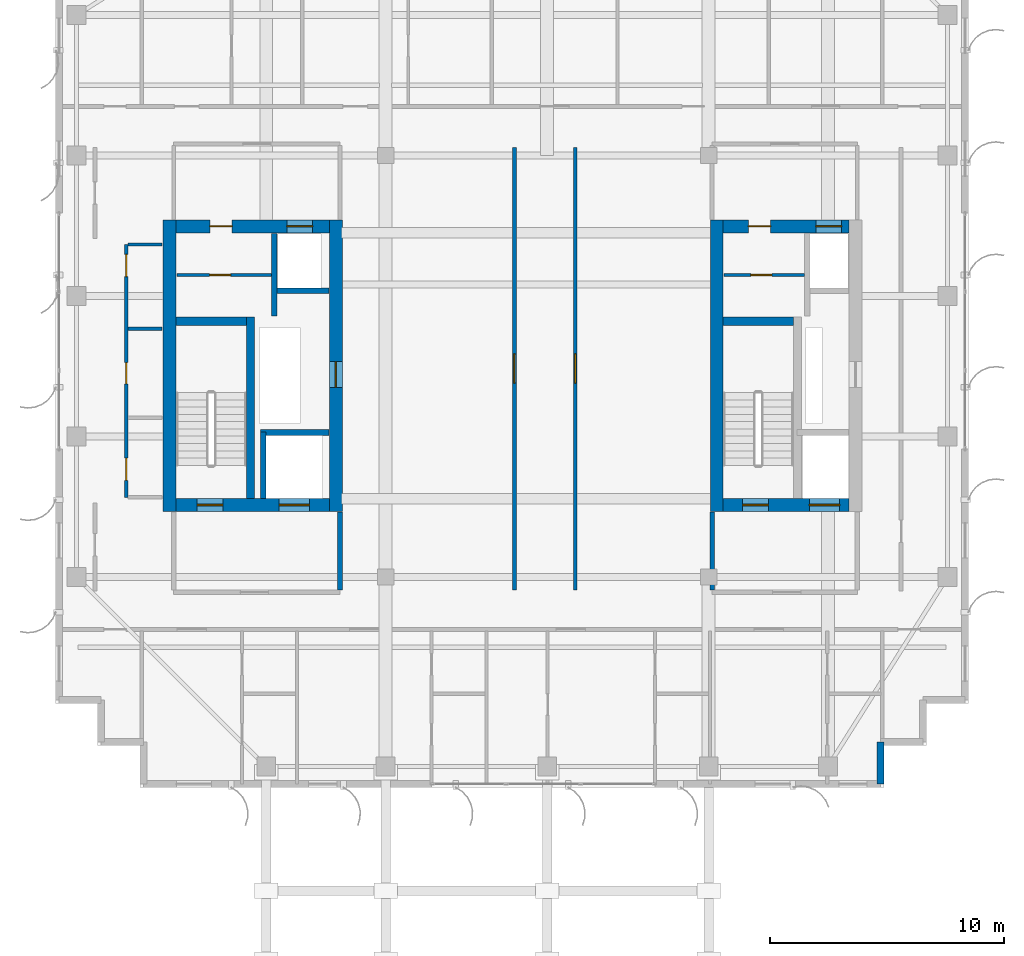
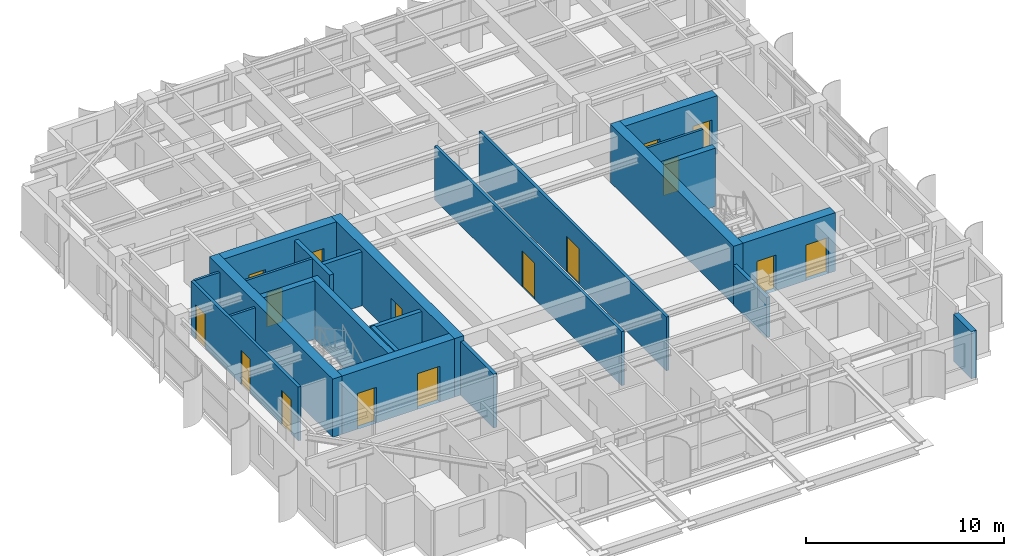
# One storey, part 15 of 19: 24 walls, 16 doors, 16 openings.
"""IFC4 building model written with IfcOpenShell, lengths in metres."""

from ifc_helpers import new_model, si_unit, direction, frame, frame_2d, origin, place, context, subcontext, project, spatial, rectangle, extrude, source, transform, mapped, material, layer, layer_set, type_object, element, fill, save


model = new_model("IFC4")

# Units and contexts
model_context = context("Model", 3, precision=1e-05, world=origin(), true_north=direction((0.0, 1.0)))
body_context = subcontext(model_context, "Body", "Model", "MODEL_VIEW")
ifc_project = project(units=[si_unit("LENGTHUNIT", "METRE"), si_unit("AREAUNIT", "SQUARE_METRE"), si_unit("VOLUMEUNIT", "CUBIC_METRE"), si_unit("PLANEANGLEUNIT", "RADIAN"), si_unit("MASSUNIT", "GRAM", prefix="KILO")], contexts=[model_context])

# Site, building, storey
site_placement = place(None, origin())
site = spatial("IfcSite", under=ifc_project, at=site_placement, CompositionType="ELEMENT")
building_placement = place(site_placement, origin())
building = spatial("IfcBuilding", under=site, at=building_placement, Name="Khoralis Quay Care Tower", CompositionType="ELEMENT")
storey_placement = place(building_placement, frame((0.0, 0.0, 281.699951171875)))
storey = spatial("IfcBuildingStorey", under=building, at=storey_placement, Name="L74", CompositionType="ELEMENT", Elevation=281.699951171875)

# Walls
ifc_material_1 = material(Name="Gypsum plasterboard on acoustic metal stud")
ifc_layer_1 = layer(ifc_material_1, 0.199951171875)
ifc_layer_set_1 = layer_set([ifc_layer_1], Name="Gypsum plasterboard on acoustic metal stud")
wall_type_1 = type_object("IfcWallType", Name="WL-COMP-200", PredefinedType="PARTITIONING", material=ifc_layer_set_1)
wall_1_placement = place(storey_placement, frame((15.14990234375, 11.445068359375, 0.0), z_axis=(0.0, 0.0, 1.0), x_axis=(0.0, 1.0, 0.0)))
element("IfcWall", 1, at=wall_1_placement, inside=storey, type_object=wall_type_1, Name="L74 West Firefighting Lobby East Wall", PredefinedType="PARTITIONING", context=body_context, shape_type="SweptSolid", body=[
    extrude(rectangle(XDim=3.3349609375, YDim=0.199951171875, at=frame_2d((1.66748046875, 0.0))), origin(), (0.0, 0.0, 1.0), 3.320068359375),
])
wall_2_placement = place(storey_placement, frame((31.050048828125, 11.445068359375, 0.0), z_axis=(0.0, 0.0, 1.0), x_axis=(0.0, 1.0, 0.0)))
element("IfcWall", 2, at=wall_2_placement, inside=storey, type_object=wall_type_1, Name="L74 East Firefighting Lobby West Wall", PredefinedType="PARTITIONING", context=body_context, shape_type="SweptSolid", body=[
    extrude(rectangle(XDim=3.3349609375, YDim=0.199951171875, at=frame_2d((1.66748046875, 0.0))), origin(), (0.0, 0.0, 1.0), 2.469970703125),
])
ifc_material_2 = material(Name="Concrete C65/80", Category="concrete")
ifc_layer_2 = layer(ifc_material_2, 0.550048828125)
ifc_layer_set_2 = layer_set([ifc_layer_2], Name="Concrete C65/80")
wall_type_2 = type_object("IfcWallType", Name="WL-CORE-550", PredefinedType="SHEAR", material=ifc_layer_set_2)
wall_3_placement = place(storey_placement, frame((7.875, 14.800048828125, 0.0), z_axis=(0.0, 0.0, 1.0), x_axis=(0.0, 1.0, 0.0)))
element("IfcWall", 3, at=wall_3_placement, inside=storey, type_object=wall_type_2, Name="L74 WCORE West Shear Wall", PredefinedType="SHEAR", context=body_context, shape_type="SweptSolid", body=[
    extrude(rectangle(XDim=12.449951171875, YDim=0.550048828125, at=frame_2d((6.22509765625, 0.0))), origin(), (0.0, 0.0, 1.0), 3.60009765625),
])

# Wall, opening, door
wall_4_placement = place(storey_placement, frame((14.97509765625, 14.800048828125, 0.0), z_axis=(0.0, 0.0, 1.0), x_axis=(0.0, 1.0, 0.0)))
wall_4 = element("IfcWall", 4, at=wall_4_placement, inside=storey, type_object=wall_type_2, Name="L74 WCORE East Shear Wall", PredefinedType="SHEAR", context=body_context, shape_type="SweptSolid", body=[
    extrude(rectangle(XDim=12.449951171875, YDim=0.550048828125, at=frame_2d((6.22509765625, 0.0))), origin(), (0.0, 0.0, 1.0), 3.60009765625),
])
opening_1_placement = place(wall_4_placement, frame((5.300048828125, 0.0, 0.0)))
opening_1 = element("IfcOpeningElement", 5, at=opening_1_placement, cuts=wall_4, Name="Opening SD1", PredefinedType="OPENING", context=body_context, shape_type="SweptSolid", body=[
    extrude(rectangle(XDim=1.10009765625, YDim=2.199951171875, at=frame_2d((0.550048828125, 1.10009765625))), frame((0.0, 0.28515625, 0.0), z_axis=(0.0, -1.0, 0.0), x_axis=(1.0, 0.0, 0.0)), (0.0, 0.0, 1.0), 0.570068359375),
])
ifc_material_3 = material(Name="Fire-rated painted steel", Category="steel")
door_type_1 = type_object("IfcDoorType", Name="DR-STAIR-1100X2200", OperationType="NOTDEFINED", PredefinedType="DOOR", material=ifc_material_3)
shared_shape_1 = source(origin(), body_context, "Body", "SweptSolid", [
    extrude(rectangle(XDim=1.10009765625, YDim=2.199951171875, at=frame_2d((0.550048828125, 1.10009765625))), frame((0.0, 0.02490234375, 0.0), z_axis=(0.0, -1.0, 0.0), x_axis=(1.0, 0.0, 0.0)), (0.0, 0.0, 1.0), 0.050048828125),
])
door_1_placement = place(opening_1_placement, origin())
door_1 = element("IfcDoor", 6, at=door_1_placement, inside=storey, type_object=door_type_1, Name="L74 West MEP Riser Door", OperationType="SINGLE_SWING_RIGHT", OverallHeight=2.199951171875, OverallWidth=1.10009765625, PredefinedType="DOOR", context=body_context, shape_type="MappedRepresentation", body=[
    mapped(shared_shape_1, transform((0.0, 0.0, 0.0), scale=1.0)),
])
fill(opening_1, door_1)

# Wall, openings, doors
wall_5_placement = place(storey_placement, frame((8.14990234375, 15.074951171875, 0.0), z_axis=(0.0, 0.0, 1.0), x_axis=(1.0, 0.0, 0.0)))
wall_5 = element("IfcWall", 7, at=wall_5_placement, inside=storey, type_object=wall_type_2, Name="L74 WCORE South Shear Wall", PredefinedType="SHEAR", context=body_context, shape_type="SweptSolid", body=[
    extrude(rectangle(XDim=6.550048828125, YDim=0.550048828125, at=frame_2d((3.27490234375, 0.0))), origin(), (0.0, 0.0, 1.0), 3.60009765625),
])
opening_2_placement = place(wall_5_placement, frame((0.89990234375, 0.0, 0.0)))
opening_2 = element("IfcOpeningElement", 8, at=opening_2_placement, cuts=wall_5, Name="Opening SD1", PredefinedType="OPENING", context=body_context, shape_type="SweptSolid", body=[
    extrude(rectangle(XDim=1.10009765625, YDim=2.199951171875, at=frame_2d((0.550048828125, 1.10009765625))), frame((0.0, 0.28515625, 0.0), z_axis=(0.0, -1.0, 0.0), x_axis=(1.0, 0.0, 0.0)), (0.0, 0.0, 1.0), 0.570068359375),
])
opening_3_placement = place(wall_5_placement, frame((4.39990234375, 0.0, 0.0)))
opening_3 = element("IfcOpeningElement", 9, at=opening_3_placement, cuts=wall_5, Name="Opening LD2", PredefinedType="OPENING", context=body_context, shape_type="SweptSolid", body=[
    extrude(rectangle(XDim=1.300048828125, YDim=2.199951171875, at=frame_2d((0.64990234375, 1.10009765625))), frame((0.0, 0.28515625, 0.0), z_axis=(0.0, -1.0, 0.0), x_axis=(1.0, 0.0, 0.0)), (0.0, 0.0, 1.0), 0.570068359375),
])
door_2_placement = place(opening_2_placement, origin())
door_2 = element("IfcDoor", 10, at=door_2_placement, inside=storey, type_object=door_type_1, Name="L74 Stair ST-T1 Fire Door", OperationType="SINGLE_SWING_RIGHT", OverallHeight=2.199951171875, OverallWidth=1.10009765625, PredefinedType="DOOR", context=body_context, shape_type="MappedRepresentation", body=[
    mapped(shared_shape_1, transform((0.0, 0.0, 0.0), scale=1.0)),
])
fill(opening_2, door_2)
ifc_material_4 = material(Name="Brushed stainless steel", Category="steel")
door_type_2 = type_object("IfcDoorType", Name="DR-LIFT-1300X2200", OperationType="SLIDING_TO_RIGHT", PredefinedType="DOOR", material=ifc_material_4)
shared_shape_2 = source(origin(), body_context, "Body", "SweptSolid", [
    extrude(rectangle(XDim=1.300048828125, YDim=2.199951171875, at=frame_2d((0.64990234375, 1.10009765625))), frame((0.0, 0.02490234375, 0.0), z_axis=(0.0, -1.0, 0.0), x_axis=(1.0, 0.0, 0.0)), (0.0, 0.0, 1.0), 0.050048828125),
])
door_3_placement = place(opening_3_placement, origin())
door_3 = element("IfcDoor", 11, at=door_3_placement, inside=storey, type_object=door_type_2, Name="L74 Firefighting Lift FFL-1 Landing Door", OperationType="SLIDING_TO_RIGHT", OverallHeight=2.199951171875, OverallWidth=1.300048828125, PredefinedType="DOOR", context=body_context, shape_type="MappedRepresentation", body=[
    mapped(shared_shape_2, transform((0.0, 0.0, 0.0), scale=1.0)),
])
fill(opening_3, door_3)

wall_6_placement = place(storey_placement, frame((8.14990234375, 26.97509765625, 0.0), z_axis=(0.0, 0.0, 1.0), x_axis=(1.0, 0.0, 0.0)))
wall_6 = element("IfcWall", 12, at=wall_6_placement, inside=storey, type_object=wall_type_2, Name="L74 WCORE North Shear Wall", PredefinedType="SHEAR", context=body_context, shape_type="SweptSolid", body=[
    extrude(rectangle(XDim=6.550048828125, YDim=0.550048828125, at=frame_2d((3.27490234375, 0.0))), origin(), (0.0, 0.0, 1.0), 3.60009765625),
])
opening_4_placement = place(wall_6_placement, frame((1.449951171875, 0.0, 0.0)))
opening_4 = element("IfcOpeningElement", 13, at=opening_4_placement, cuts=wall_6, Name="Opening ID1", PredefinedType="OPENING", context=body_context, shape_type="SweptSolid", body=[
    extrude(rectangle(XDim=0.949951171875, YDim=2.10009765625, at=frame_2d((0.47509765625, 1.050048828125))), frame((0.0, 0.28515625, 0.0), z_axis=(0.0, -1.0, 0.0), x_axis=(1.0, 0.0, 0.0)), (0.0, 0.0, 1.0), 0.570068359375),
])
opening_5_placement = place(wall_6_placement, frame((4.72998046875, 0.0, 0.0)))
opening_5 = element("IfcOpeningElement", 14, at=opening_5_placement, cuts=wall_6, Name="Opening LD1", PredefinedType="OPENING", context=body_context, shape_type="SweptSolid", body=[
    extrude(rectangle(XDim=1.10009765625, YDim=2.199951171875, at=frame_2d((0.550048828125, 1.10009765625))), frame((0.0, 0.28515625, 0.0), z_axis=(0.0, -1.0, 0.0), x_axis=(1.0, 0.0, 0.0)), (0.0, 0.0, 1.0), 0.570068359375),
])
door_type_3 = type_object("IfcDoorType", Name="DR-LIFT-1100X2200", OperationType="SLIDING_TO_LEFT", PredefinedType="DOOR", material=ifc_material_4)
shared_shape_3 = source(origin(), body_context, "Body", "SweptSolid", [
    extrude(rectangle(XDim=1.10009765625, YDim=2.199951171875, at=frame_2d((0.550048828125, 1.10009765625))), frame((0.0, 0.02490234375, 0.0), z_axis=(0.0, -1.0, 0.0), x_axis=(1.0, 0.0, 0.0)), (0.0, 0.0, 1.0), 0.050048828125),
])
door_4_placement = place(opening_5_placement, origin())
door_4 = element("IfcDoor", 15, at=door_4_placement, inside=storey, type_object=door_type_3, Name="L74 Lift PLH1 Landing Door", OperationType="SLIDING_TO_LEFT", OverallHeight=2.199951171875, OverallWidth=1.10009765625, PredefinedType="DOOR", context=body_context, shape_type="MappedRepresentation", body=[
    mapped(shared_shape_3, transform((0.0, 0.0, 0.0), scale=1.0)),
])
fill(opening_5, door_4)
ifc_material_5 = material(Name="Acoustic hardwood timber", Category="wood")
door_type_4 = type_object("IfcDoorType", Name="DR-ROOM-950X2100", OperationType="NOTDEFINED", PredefinedType="DOOR", material=ifc_material_5)
shared_shape_4 = source(origin(), body_context, "Body", "SweptSolid", [
    extrude(rectangle(XDim=0.949951171875, YDim=2.10009765625, at=frame_2d((0.47509765625, 1.050048828125))), frame((0.0, 0.02490234375, 0.0), z_axis=(0.0, -1.0, 0.0), x_axis=(1.0, 0.0, 0.0)), (0.0, 0.0, 1.0), 0.050048828125),
])
door_5_placement = place(opening_4_placement, frame((0.949951171875, 0.0, 0.0), z_axis=(0.0, 0.0, 1.0), x_axis=(-1.0, 0.0, 0.0)))
door_5 = element("IfcDoor", 16, at=door_5_placement, inside=storey, type_object=door_type_4, Name="L74 Telemetry Study Door", OperationType="SINGLE_SWING_RIGHT", OverallHeight=2.10009765625, OverallWidth=0.949951171875, PredefinedType="DOOR", context=body_context, shape_type="MappedRepresentation", body=[
    mapped(shared_shape_4, transform((0.0, 0.0, 0.0), scale=1.0)),
])
fill(opening_4, door_5)

# Wall
wall_7_placement = place(storey_placement, frame((31.2451171875, 14.800048828125, 0.0), z_axis=(0.0, 0.0, 1.0), x_axis=(0.0, 1.0, 0.0)))
element("IfcWall", 17, at=wall_7_placement, inside=storey, type_object=wall_type_2, Name="L74 ECORE West Shear Wall", PredefinedType="SHEAR", context=body_context, shape_type="SweptSolid", body=[
    extrude(rectangle(XDim=12.449951171875, YDim=0.550048828125, at=frame_2d((6.22509765625, 0.0))), origin(), (0.0, 0.0, 1.0), 3.60009765625),
])

# Wall, openings, doors
wall_8_placement = place(storey_placement, frame((31.52001953125, 15.074951171875, 0.0), z_axis=(0.0, 0.0, 1.0), x_axis=(1.0, 0.0, 0.0)))
wall_8 = element("IfcWall", 18, at=wall_8_placement, inside=storey, type_object=wall_type_2, Name="L74 ECORE South Shear Wall", PredefinedType="SHEAR", context=body_context, shape_type="SweptSolid", body=[
    extrude(rectangle(XDim=5.3798828125, YDim=0.550048828125, at=frame_2d((2.68994140625, 0.0))), origin(), (0.0, 0.0, 1.0), 3.60009765625),
])
opening_6_placement = place(wall_8_placement, frame((0.830078125, 0.0, 0.0)))
opening_6 = element("IfcOpeningElement", 19, at=opening_6_placement, cuts=wall_8, Name="Opening SD1", PredefinedType="OPENING", context=body_context, shape_type="SweptSolid", body=[
    extrude(rectangle(XDim=1.10009765625, YDim=2.199951171875, at=frame_2d((0.550048828125, 1.10009765625))), frame((0.0, 0.28515625, 0.0), z_axis=(0.0, -1.0, 0.0), x_axis=(1.0, 0.0, 0.0)), (0.0, 0.0, 1.0), 0.570068359375),
])
opening_7_placement = place(wall_8_placement, frame((3.679931640625, 0.0, 0.0)))
opening_7 = element("IfcOpeningElement", 20, at=opening_7_placement, cuts=wall_8, Name="Opening LD2", PredefinedType="OPENING", context=body_context, shape_type="SweptSolid", body=[
    extrude(rectangle(XDim=1.300048828125, YDim=2.199951171875, at=frame_2d((0.64990234375, 1.10009765625))), frame((0.0, 0.28515625, 0.0), z_axis=(0.0, -1.0, 0.0), x_axis=(1.0, 0.0, 0.0)), (0.0, 0.0, 1.0), 0.570068359375),
])
door_6_placement = place(opening_6_placement, origin())
door_6 = element("IfcDoor", 21, at=door_6_placement, inside=storey, type_object=door_type_1, Name="L74 Stair ST-T2 Fire Door", OperationType="SINGLE_SWING_LEFT", OverallHeight=2.199951171875, OverallWidth=1.10009765625, PredefinedType="DOOR", context=body_context, shape_type="MappedRepresentation", body=[
    mapped(shared_shape_1, transform((0.0, 0.0, 0.0), scale=1.0)),
])
fill(opening_6, door_6)
door_7_placement = place(opening_7_placement, origin())
door_7 = element("IfcDoor", 22, at=door_7_placement, inside=storey, type_object=door_type_2, Name="L74 Firefighting Lift FFL-2 Landing Door", OperationType="SLIDING_TO_RIGHT", OverallHeight=2.199951171875, OverallWidth=1.300048828125, PredefinedType="DOOR", context=body_context, shape_type="MappedRepresentation", body=[
    mapped(shared_shape_2, transform((0.0, 0.0, 0.0), scale=1.0)),
])
fill(opening_7, door_7)

wall_9_placement = place(storey_placement, frame((31.52001953125, 26.97509765625, 0.0), z_axis=(0.0, 0.0, 1.0), x_axis=(1.0, 0.0, 0.0)))
wall_9 = element("IfcWall", 23, at=wall_9_placement, inside=storey, type_object=wall_type_2, Name="L74 ECORE North Shear Wall", PredefinedType="SHEAR", context=body_context, shape_type="SweptSolid", body=[
    extrude(rectangle(XDim=5.3798828125, YDim=0.550048828125, at=frame_2d((2.68994140625, 0.0))), origin(), (0.0, 0.0, 1.0), 3.60009765625),
])
opening_8_placement = place(wall_9_placement, frame((1.080078125, 0.0, 0.0)))
opening_8 = element("IfcOpeningElement", 24, at=opening_8_placement, cuts=wall_9, Name="Opening ID1", PredefinedType="OPENING", context=body_context, shape_type="SweptSolid", body=[
    extrude(rectangle(XDim=0.949951171875, YDim=2.10009765625, at=frame_2d((0.47509765625, 1.050048828125))), frame((0.0, 0.28515625, 0.0), z_axis=(0.0, -1.0, 0.0), x_axis=(1.0, 0.0, 0.0)), (0.0, 0.0, 1.0), 0.570068359375),
])
opening_9_placement = place(wall_9_placement, frame((3.9599609375, 0.0, 0.0)))
opening_9 = element("IfcOpeningElement", 25, at=opening_9_placement, cuts=wall_9, Name="Opening LD1", PredefinedType="OPENING", context=body_context, shape_type="SweptSolid", body=[
    extrude(rectangle(XDim=1.10009765625, YDim=2.199951171875, at=frame_2d((0.550048828125, 1.10009765625))), frame((0.0, 0.28515625, 0.0), z_axis=(0.0, -1.0, 0.0), x_axis=(1.0, 0.0, 0.0)), (0.0, 0.0, 1.0), 0.570068359375),
])
door_8_placement = place(opening_9_placement, origin())
door_8 = element("IfcDoor", 26, at=door_8_placement, inside=storey, type_object=door_type_3, Name="L74 Lift PLH2 Landing Door", OperationType="SLIDING_TO_LEFT", OverallHeight=2.199951171875, OverallWidth=1.10009765625, PredefinedType="DOOR", context=body_context, shape_type="MappedRepresentation", body=[
    mapped(shared_shape_3, transform((0.0, 0.0, 0.0), scale=1.0)),
])
fill(opening_9, door_8)
door_9_placement = place(opening_8_placement, frame((0.949951171875, 0.0, 0.0), z_axis=(0.0, 0.0, 1.0), x_axis=(-1.0, 0.0, 0.0)))
door_9 = element("IfcDoor", 27, at=door_9_placement, inside=storey, type_object=door_type_4, Name="L74 Nutrition Pantry Door", OperationType="SINGLE_SWING_LEFT", OverallHeight=2.10009765625, OverallWidth=0.949951171875, PredefinedType="DOOR", context=body_context, shape_type="MappedRepresentation", body=[
    mapped(shared_shape_4, transform((0.0, 0.0, 0.0), scale=1.0)),
])
fill(opening_8, door_9)

ifc_layer_3 = layer(ifc_material_1, 0.1650390625)
ifc_layer_set_3 = layer_set([ifc_layer_3], Name="Gypsum plasterboard on acoustic metal stud")
wall_type_3 = type_object("IfcWallType", Name="WL-CORR-165", PredefinedType="PARTITIONING", material=ifc_layer_set_3)
wall_10_placement = place(storey_placement, frame((6.02001953125, 15.39990234375, 0.0), z_axis=(0.0, 0.0, 1.0), x_axis=(0.0, 1.0, 0.0)))
wall_10 = element("IfcWall", 28, at=wall_10_placement, inside=storey, type_object=wall_type_3, Name="L74 West Core Service Flank Wall", PredefinedType="PARTITIONING", context=body_context, shape_type="SweptSolid", body=[
    extrude(rectangle(XDim=10.800048828125, YDim=0.1650390625, at=frame_2d((5.39990234375, 0.0))), origin(), (0.0, 0.0, 1.0), 3.320068359375),
])
opening_10_placement = place(wall_10_placement, frame((0.72509765625, 0.0, 0.0)))
opening_10 = element("IfcOpeningElement", 29, at=opening_10_placement, cuts=wall_10, Name="Opening ID1", PredefinedType="OPENING", context=body_context, shape_type="SweptSolid", body=[
    extrude(rectangle(XDim=0.949951171875, YDim=2.10009765625, at=frame_2d((0.47509765625, 1.050048828125))), frame((0.0, 0.092529296875, 0.0), z_axis=(0.0, -1.0, 0.0), x_axis=(1.0, 0.0, 0.0)), (0.0, 0.0, 1.0), 0.18505859375),
])
opening_11_placement = place(wall_10_placement, frame((4.85009765625, 0.0, 0.0)))
opening_11 = element("IfcOpeningElement", 30, at=opening_11_placement, cuts=wall_10, Name="Opening WD1", PredefinedType="OPENING", context=body_context, shape_type="SweptSolid", body=[
    extrude(rectangle(XDim=0.89990234375, YDim=2.10009765625, at=frame_2d((0.449951171875, 1.050048828125))), frame((0.0, 0.092529296875, 0.0), z_axis=(0.0, -1.0, 0.0), x_axis=(1.0, 0.0, 0.0)), (0.0, 0.0, 1.0), 0.18505859375),
])
opening_12_placement = place(wall_10_placement, frame((9.425048828125, 0.0, 0.0)))
opening_12 = element("IfcOpeningElement", 31, at=opening_12_placement, cuts=wall_10, Name="Opening ID1", PredefinedType="OPENING", context=body_context, shape_type="SweptSolid", body=[
    extrude(rectangle(XDim=0.949951171875, YDim=2.10009765625, at=frame_2d((0.47509765625, 1.050048828125))), frame((0.0, 0.092529296875, 0.0), z_axis=(0.0, -1.0, 0.0), x_axis=(1.0, 0.0, 0.0)), (0.0, 0.0, 1.0), 0.18505859375),
])
door_type_5 = type_object("IfcDoorType", Name="DR-BATH-900X2100", OperationType="NOTDEFINED", PredefinedType="DOOR", material=ifc_material_5)
shared_shape_5 = source(origin(), body_context, "Body", "SweptSolid", [
    extrude(rectangle(XDim=0.89990234375, YDim=2.10009765625, at=frame_2d((0.449951171875, 1.050048828125))), frame((0.0, 0.02490234375, 0.0), z_axis=(0.0, -1.0, 0.0), x_axis=(1.0, 0.0, 0.0)), (0.0, 0.0, 1.0), 0.050048828125),
])
door_10_placement = place(opening_11_placement, frame((0.89990234375, 0.0, 0.0), z_axis=(0.0, 0.0, 1.0), x_axis=(-1.0, 0.0, 0.0)))
door_10 = element("IfcDoor", 32, at=door_10_placement, inside=storey, type_object=door_type_5, Name="L74 Public Accessible WC Door", OperationType="SINGLE_SWING_RIGHT", OverallHeight=2.10009765625, OverallWidth=0.89990234375, PredefinedType="DOOR", context=body_context, shape_type="MappedRepresentation", body=[
    mapped(shared_shape_5, transform((0.0, 0.0, 0.0), scale=1.0)),
])
fill(opening_11, door_10)
door_11_placement = place(opening_10_placement, frame((0.949951171875, 0.0, 0.0), z_axis=(0.0, 0.0, 1.0), x_axis=(-1.0, 0.0, 0.0)))
door_11 = element("IfcDoor", 33, at=door_11_placement, inside=storey, type_object=door_type_4, Name="L74 Clean Utility Store Door", OperationType="SINGLE_SWING_LEFT", OverallHeight=2.10009765625, OverallWidth=0.949951171875, PredefinedType="DOOR", context=body_context, shape_type="MappedRepresentation", body=[
    mapped(shared_shape_4, transform((0.0, 0.0, 0.0), scale=1.0)),
])
fill(opening_10, door_11)
door_12_placement = place(opening_12_placement, frame((0.949951171875, 0.0, 0.0), z_axis=(0.0, 0.0, 1.0), x_axis=(-1.0, 0.0, 0.0)))
door_12 = element("IfcDoor", 34, at=door_12_placement, inside=storey, type_object=door_type_4, Name="L74 Electrical Switchboard Room Door", OperationType="SINGLE_SWING_LEFT", OverallHeight=2.10009765625, OverallWidth=0.949951171875, PredefinedType="DOOR", context=body_context, shape_type="MappedRepresentation", body=[
    mapped(shared_shape_4, transform((0.0, 0.0, 0.0), scale=1.0)),
])
fill(opening_12, door_12)

# Wall, opening, door
wall_11_placement = place(storey_placement, frame((22.60009765625, 11.449951171875, 0.0), z_axis=(0.0, 0.0, 1.0), x_axis=(0.0, 1.0, 0.0)))
wall_11 = element("IfcWall", 35, at=wall_11_placement, inside=storey, type_object=wall_type_3, Name="L74 Central Gallery West Wall", PredefinedType="PARTITIONING", context=body_context, shape_type="SweptSolid", body=[
    extrude(rectangle(XDim=18.900146484375, YDim=0.1650390625, at=frame_2d((9.4501953125, 0.0))), origin(), (0.0, 0.0, 1.0), 3.320068359375),
])
opening_13_placement = place(wall_11_placement, frame((8.824951171875, 0.0, 0.0)))
opening_13 = element("IfcOpeningElement", 36, at=opening_13_placement, cuts=wall_11, Name="Opening CD1", PredefinedType="OPENING", context=body_context, shape_type="SweptSolid", body=[
    extrude(rectangle(XDim=1.25, YDim=2.199951171875, at=frame_2d((0.625, 1.10009765625))), frame((0.0, 0.092529296875, 0.0), z_axis=(0.0, -1.0, 0.0), x_axis=(1.0, 0.0, 0.0)), (0.0, 0.0, 1.0), 0.18505859375),
])
door_type_6 = type_object("IfcDoorType", Name="DR-CARE-1250X2200", OperationType="NOTDEFINED", PredefinedType="DOOR", material=ifc_material_5)
shared_shape_6 = source(origin(), body_context, "Body", "SweptSolid", [
    extrude(rectangle(XDim=1.25, YDim=2.199951171875, at=frame_2d((0.625, 1.10009765625))), frame((0.0, 0.02490234375, 0.0), z_axis=(0.0, -1.0, 0.0), x_axis=(1.0, 0.0, 0.0)), (0.0, 0.0, 1.0), 0.050048828125),
])
door_13_placement = place(opening_13_placement, frame((1.25, 0.0, 0.0), z_axis=(0.0, 0.0, 1.0), x_axis=(-1.0, 0.0, 0.0)))
door_13 = element("IfcDoor", 37, at=door_13_placement, inside=storey, type_object=door_type_6, Name="L74 Penthouse Clinic Door", OperationType="SINGLE_SWING_LEFT", OverallHeight=2.199951171875, OverallWidth=1.25, PredefinedType="DOOR", context=body_context, shape_type="MappedRepresentation", body=[
    mapped(shared_shape_6, transform((0.0, 0.0, 0.0), scale=1.0)),
])
fill(opening_13, door_13)

wall_12_placement = place(storey_placement, frame((25.199951171875, 11.449951171875, 0.0), z_axis=(0.0, 0.0, 1.0), x_axis=(0.0, 1.0, 0.0)))
wall_12 = element("IfcWall", 38, at=wall_12_placement, inside=storey, type_object=wall_type_3, Name="L74 Central Gallery East Wall", PredefinedType="PARTITIONING", context=body_context, shape_type="SweptSolid", body=[
    extrude(rectangle(XDim=18.900146484375, YDim=0.1650390625, at=frame_2d((9.4501953125, 0.0))), origin(), (0.0, 0.0, 1.0), 3.320068359375),
])
opening_14_placement = place(wall_12_placement, frame((8.824951171875, 0.0, 0.0)))
opening_14 = element("IfcOpeningElement", 39, at=opening_14_placement, cuts=wall_12, Name="Opening CD1", PredefinedType="OPENING", context=body_context, shape_type="SweptSolid", body=[
    extrude(rectangle(XDim=1.25, YDim=2.199951171875, at=frame_2d((0.625, 1.10009765625))), frame((0.0, 0.092529296875, 0.0), z_axis=(0.0, -1.0, 0.0), x_axis=(1.0, 0.0, 0.0)), (0.0, 0.0, 1.0), 0.18505859375),
])
door_14_placement = place(opening_14_placement, origin())
door_14 = element("IfcDoor", 40, at=door_14_placement, inside=storey, type_object=door_type_6, Name="L74 Penthouse Lounge Door", OperationType="SINGLE_SWING_RIGHT", OverallHeight=2.199951171875, OverallWidth=1.25, PredefinedType="DOOR", context=body_context, shape_type="MappedRepresentation", body=[
    mapped(shared_shape_6, transform((0.0, 0.0, 0.0), scale=1.0)),
])
fill(opening_14, door_14)

# Walls
ifc_material_6 = material(Name="Precast concrete C45/55", Category="concrete")
ifc_layer_4 = layer(ifc_material_6, 0.300048828125)
ifc_layer_set_4 = layer_set([ifc_layer_4], Name="Precast concrete C45/55")
wall_type_4 = type_object("IfcWallType", Name="WL-EXT-REF-300", PredefinedType="SOLIDWALL", material=ifc_layer_set_4)
wall_13_placement = place(storey_placement, frame((38.25, 3.14990234375, 0.0), z_axis=(0.0, 0.0, 1.0), x_axis=(0.0, 1.0, 0.0)))
element("IfcWall", 41, at=wall_13_placement, inside=storey, type_object=wall_type_4, Name="L74 External Facade Wall WL-EXT-L74-P1-C1", PredefinedType="SOLIDWALL", context=body_context, shape_type="SweptSolid", body=[
    extrude(rectangle(XDim=1.800048828125, YDim=0.300048828125, at=frame_2d((0.89990234375, 0.0))), origin(), (0.0, 0.0, 1.0), 2.900146484375),
])
ifc_material_7 = material(Name="Concrete C40/50", Category="concrete")
ifc_layer_5 = layer(ifc_material_7, 0.35009765625)
ifc_layer_set_5 = layer_set([ifc_layer_5], Name="Concrete C40/50")
wall_type_5 = type_object("IfcWallType", Name="WL-SC-CORE-350", PredefinedType="SHEAR", material=ifc_layer_set_5)
wall_14_placement = place(storey_placement, frame((11.324951171875, 15.35009765625, 0.0), z_axis=(0.0, 0.0, 1.0), x_axis=(0.0, 1.0, 0.0)))
element("IfcWall", 42, at=wall_14_placement, inside=storey, type_object=wall_type_5, Name="L74 Stair ST-T1 Shear Baffle Wall East", PredefinedType="SHEAR", context=body_context, shape_type="SweptSolid", body=[
    extrude(rectangle(XDim=7.75, YDim=0.35009765625, at=frame_2d((3.875, 0.0))), origin(), (0.0, 0.0, 1.0), 3.60009765625),
])
for number, where, z_axis, x_axis, name in (
    (43, (8.14990234375, 22.925048828125, 0.0), (0.0, 0.0, 1.0), (1.0, 0.0, 0.0), "L74 Stair ST-T1 Shear Baffle Wall North"),
    (44, (31.52001953125, 22.925048828125, 0.0), (0.0, 0.0, 1.0), (1.0, 0.0, 0.0), "L74 Stair ST-T2 Shear Baffle Wall North"),
):
    element("IfcWall", number, at=place(storey_placement, frame(where, z_axis=z_axis, x_axis=x_axis)), inside=storey, type_object=wall_type_5, Name=name, PredefinedType="SHEAR", context=body_context, shape_type="SweptSolid", body=[
        extrude(rectangle(XDim=3.0, YDim=0.35009765625, at=frame_2d((1.5, 0.0))), origin(), (0.0, 0.0, 1.0), 3.60009765625),
    ])
ifc_layer_6 = layer(ifc_material_1, 0.239990234375)
ifc_layer_set_6 = layer_set([ifc_layer_6], Name="Gypsum plasterboard on acoustic metal stud")
wall_type_6 = type_object("IfcWallType", Name="WL-SHAFT-240", PredefinedType="PARTITIONING", material=ifc_layer_set_6)
wall_15_placement = place(storey_placement, frame((11.8798828125, 15.35009765625, 0.0), z_axis=(0.0, 0.0, 1.0), x_axis=(0.0, 1.0, 0.0)))
element("IfcWall", 45, at=wall_15_placement, inside=storey, type_object=wall_type_6, Name="L74 FFL-1 Shaft Wall West", PredefinedType="PARTITIONING", context=body_context, shape_type="SweptSolid", body=[
    extrude(rectangle(XDim=2.849853515625, YDim=0.239990234375, at=frame_2d((1.4248046875, 0.0))), origin(), (0.0, 0.0, 1.0), 3.320068359375),
])
wall_16_placement = place(storey_placement, frame((11.760009765625, 18.169921875, 0.0), z_axis=(0.0, 0.0, 1.0), x_axis=(1.0, 0.0, 0.0)))
element("IfcWall", 46, at=wall_16_placement, inside=storey, type_object=wall_type_6, Name="L74 FFL-1 Shaft Wall North", PredefinedType="PARTITIONING", context=body_context, shape_type="SweptSolid", body=[
    extrude(rectangle(XDim=2.919921875, YDim=0.239990234375, at=frame_2d((1.4599609375, 0.0))), origin(), (0.0, 0.0, 1.0), 3.320068359375),
])
wall_17_placement = place(storey_placement, frame((12.35009765625, 23.139892578125, 0.0), z_axis=(0.0, 0.0, 1.0), x_axis=(0.0, 1.0, 0.0)))
element("IfcWall", 47, at=wall_17_placement, inside=storey, type_object=wall_type_6, Name="L74 High-Rise Reclaimed Bay Wall West", PredefinedType="PARTITIONING", context=body_context, shape_type="SweptSolid", body=[
    extrude(rectangle(XDim=3.5400390625, YDim=0.239990234375, at=frame_2d((1.77001953125, 0.0))), origin(), (0.0, 0.0, 1.0), 3.320068359375),
])
wall_18_placement = place(storey_placement, frame((12.465087890625, 24.22998046875, 0.0), z_axis=(0.0, 0.0, 1.0), x_axis=(1.0, 0.0, 0.0)))
element("IfcWall", 48, at=wall_18_placement, inside=storey, type_object=wall_type_6, Name="L74 High-Rise Shaft South Wall West", PredefinedType="PARTITIONING", context=body_context, shape_type="SweptSolid", body=[
    extrude(rectangle(XDim=2.21484375, YDim=0.239990234375, at=frame_2d((1.107421875, 0.0))), origin(), (0.0, 0.0, 1.0), 3.320068359375),
])

# Wall, opening, door
ifc_layer_7 = layer(ifc_material_1, 0.139892578125)
ifc_layer_set_7 = layer_set([ifc_layer_7], Name="Gypsum plasterboard on acoustic metal stud")
wall_type_7 = type_object("IfcWallType", Name="WL-UNIT-140", PredefinedType="PARTITIONING", material=ifc_layer_set_7)
wall_19_placement = place(storey_placement, frame((8.179931640625, 24.89990234375, 0.0), z_axis=(0.0, 0.0, 1.0), x_axis=(1.0, 0.0, 0.0)))
wall_19 = element("IfcWall", 49, at=wall_19_placement, inside=storey, type_object=wall_type_7, Name="L74 High-Rise West Core Split H", PredefinedType="PARTITIONING", context=body_context, shape_type="SweptSolid", body=[
    extrude(rectangle(XDim=4.05517578125, YDim=0.139892578125, at=frame_2d((2.027587890625, 0.0))), origin(), (0.0, 0.0, 1.0), 3.320068359375),
])
opening_15_placement = place(wall_19_placement, frame((1.39990234375, 0.0, 0.0)))
opening_15 = element("IfcOpeningElement", 50, at=opening_15_placement, cuts=wall_19, Name="Opening WD1", PredefinedType="OPENING", context=body_context, shape_type="SweptSolid", body=[
    extrude(rectangle(XDim=0.89990234375, YDim=2.10009765625, at=frame_2d((0.449951171875, 1.050048828125))), frame((0.0, 0.080078125, 0.0), z_axis=(0.0, -1.0, 0.0), x_axis=(1.0, 0.0, 0.0)), (0.0, 0.0, 1.0), 0.159912109375),
])
door_15_placement = place(opening_15_placement, frame((0.89990234375, 0.0, 0.0), z_axis=(0.0, 0.0, 1.0), x_axis=(-1.0, 0.0, 0.0)))
door_15 = element("IfcDoor", 51, at=door_15_placement, inside=storey, type_object=door_type_5, Name="L74 Medical Supply Door", OperationType="SINGLE_SWING_RIGHT", OverallHeight=2.10009765625, OverallWidth=0.89990234375, PredefinedType="DOOR", context=body_context, shape_type="MappedRepresentation", body=[
    mapped(shared_shape_5, transform((0.0, 0.0, 0.0), scale=1.0)),
])
fill(opening_15, door_15)

wall_20_placement = place(storey_placement, frame((31.550048828125, 24.89990234375, 0.0), z_axis=(0.0, 0.0, 1.0), x_axis=(1.0, 0.0, 0.0)))
wall_20 = element("IfcWall", 52, at=wall_20_placement, inside=storey, type_object=wall_type_7, Name="L74 High-Rise East Core Split H", PredefinedType="PARTITIONING", context=body_context, shape_type="SweptSolid", body=[
    extrude(rectangle(XDim=3.445068359375, YDim=0.139892578125, at=frame_2d((1.72265625, 0.0))), origin(), (0.0, 0.0, 1.0), 3.320068359375),
])
opening_16_placement = place(wall_20_placement, frame((1.14990234375, 0.0, 0.0)))
opening_16 = element("IfcOpeningElement", 53, at=opening_16_placement, cuts=wall_20, Name="Opening WD1", PredefinedType="OPENING", context=body_context, shape_type="SweptSolid", body=[
    extrude(rectangle(XDim=0.89990234375, YDim=2.10009765625, at=frame_2d((0.449951171875, 1.050048828125))), frame((0.0, 0.080078125, 0.0), z_axis=(0.0, -1.0, 0.0), x_axis=(1.0, 0.0, 0.0)), (0.0, 0.0, 1.0), 0.159912109375),
])
door_16_placement = place(opening_16_placement, frame((0.89990234375, 0.0, 0.0), z_axis=(0.0, 0.0, 1.0), x_axis=(-1.0, 0.0, 0.0)))
door_16 = element("IfcDoor", 54, at=door_16_placement, inside=storey, type_object=door_type_5, Name="L74 Rehab Store Door", OperationType="SINGLE_SWING_LEFT", OverallHeight=2.10009765625, OverallWidth=0.89990234375, PredefinedType="DOOR", context=body_context, shape_type="MappedRepresentation", body=[
    mapped(shared_shape_5, transform((0.0, 0.0, 0.0), scale=1.0)),
])
fill(opening_16, door_16)

# Walls
for number, where, z_axis, x_axis, name in (
    (55, (6.097412109375, 26.199951171875, 0.0), (0.0, 0.0, 1.0), (1.0, 0.0, 0.0), "L74 West Flank North Cap"),
    (56, (6.097412109375, 22.60009765625, 0.0), (0.0, 0.0, 1.0), (1.0, 0.0, 0.0), "L74 West Flank Divider 2"),
):
    element("IfcWall", number, at=place(storey_placement, frame(where, z_axis=z_axis, x_axis=x_axis)), inside=storey, type_object=wall_type_7, Name=name, PredefinedType="PARTITIONING", context=body_context, shape_type="SweptSolid", body=[
        extrude(rectangle(XDim=1.462646484375, YDim=0.139892578125, at=frame_2d((0.7314453125, 0.0))), origin(), (0.0, 0.0, 1.0), 3.320068359375),
    ])

save(model, "model.ifc")
